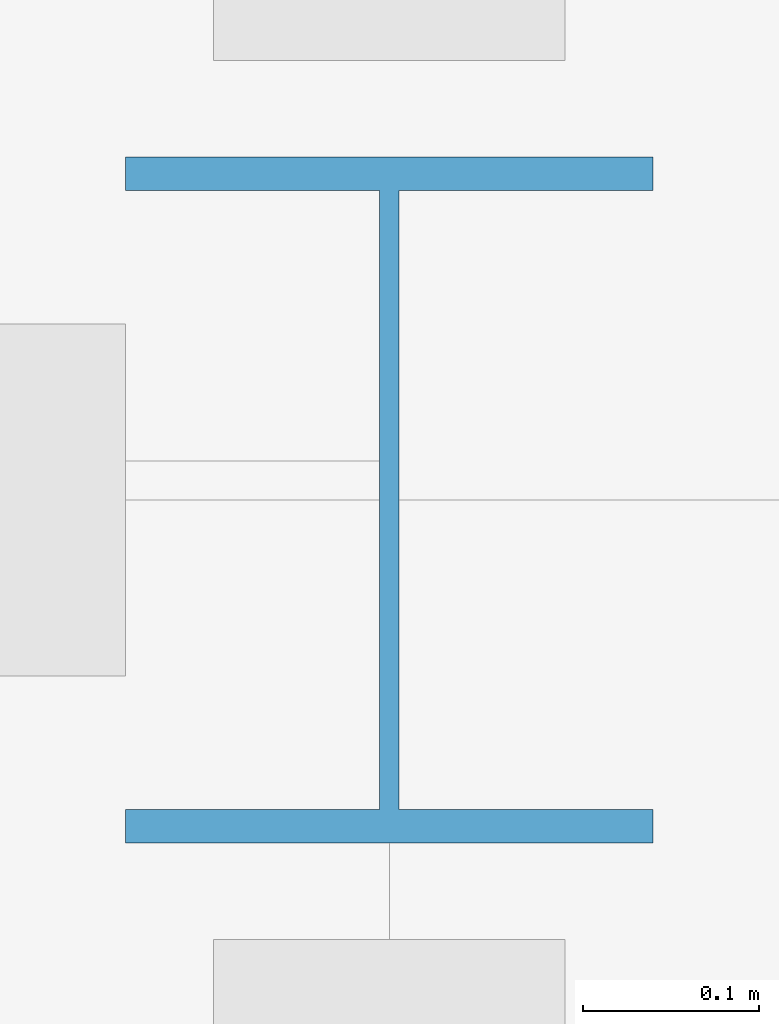
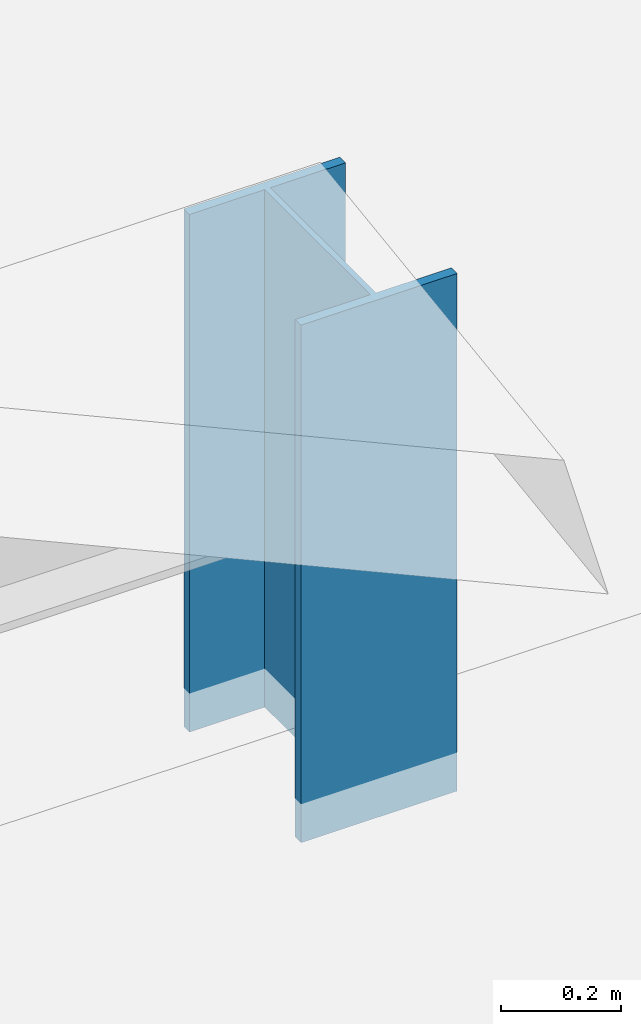
# One storey, part 2 of 16: 1 column.
"""IFC4 building model written with IfcOpenShell, lengths in metres."""

import ifcopenshell
import ifcopenshell.guid

model = None  # the IFC model being written
_history = None  # IfcOwnerHistory: only IFC2X3 demands one
_inside = {}  # id of a spatial element -> (the spatial element, [elements in it])
_under = {}  # id of a project, library or spatial element -> (it, [spatial elements below it])
_declared = {}  # id of a project -> (the project, [libraries it declares])
_typed = {}  # id of a type object -> (the type object, [elements of that type])
_made_of = {}  # id of a material, layer set ... -> (it, [elements and type objects made of it])


def new_model(schema):
    """Start an empty IFC model of exactly this schema.

    Asked for "IFC4X3", IfcOpenShell would pick the latest addendum, in which some entities
    have other attributes; the version numbers below select the first issue.
    IFC2X3 requires an IfcOwnerHistory on every rooted entity: one is made here for all.
    """
    global model, _history
    if schema == "IFC4X3":
        model = ifcopenshell.file(schema_version=(4, 3, 0, 0))
    else:
        model = ifcopenshell.file(schema=schema)
    _inside.clear()
    _under.clear()
    _declared.clear()
    _typed.clear()
    _made_of.clear()
    _history = None
    if model.schema == "IFC2X3":
        org = make("IfcOrganization", Name="unknown")
        user = make(
            "IfcPersonAndOrganization",
            ThePerson=make("IfcPerson", FamilyName="unknown"),
            TheOrganization=org,
        )
        app = make(
            "IfcApplication",
            ApplicationDeveloper=org,
            Version="unknown",
            ApplicationFullName="unknown",
            ApplicationIdentifier="unknown",
        )
        _history = make(
            "IfcOwnerHistory",
            OwningUser=user,
            OwningApplication=app,
            ChangeAction="ADDED",
            CreationDate=0,
        )
    return model


def make(cls, **values):
    """One entity of the class cls with the attributes given. An attribute that is None is left unset."""
    return model.create_entity(
        cls, **{name: value for name, value in values.items() if value is not None}
    )


def rooted(cls, **values):
    """An entity with a GlobalId (a new one), such as an element, a storey or a relation."""
    return make(cls, GlobalId=ifcopenshell.guid.new(), OwnerHistory=_history, **values)


def si_unit(unit_type, name, prefix=None):
    """IfcSIUnit, for example si_unit("LENGTHUNIT", "METRE", prefix="MILLI")."""
    return make("IfcSIUnit", UnitType=unit_type, Prefix=prefix, Name=name)


def assignment(units):
    """IfcUnitAssignment: the units of a project."""
    return None if units is None else make("IfcUnitAssignment", Units=units)


def point(xyz):
    """IfcCartesianPoint."""
    return None if xyz is None else make("IfcCartesianPoint", Coordinates=xyz)


def direction(xyz):
    """IfcDirection."""
    return None if xyz is None else make("IfcDirection", DirectionRatios=xyz)


def frame(location, z_axis=None, x_axis=None):
    """IfcAxis2Placement3D, a coordinate frame: its origin and axes. An axis left out is left unset."""
    return make(
        "IfcAxis2Placement3D",
        Location=point(location),
        Axis=direction(z_axis),
        RefDirection=direction(x_axis),
    )


def frame_2d(location, x_axis=None):
    """IfcAxis2Placement2D, a coordinate frame in the plane: its origin and x axis."""
    return make(
        "IfcAxis2Placement2D", Location=point(location), RefDirection=direction(x_axis)
    )


def origin():
    """The frame at (0, 0, 0) with its axes left unset."""
    return frame((0.0, 0.0, 0.0))


def origin_2d():
    """The frame at (0, 0) in the plane with its x axis left unset."""
    return frame_2d((0.0, 0.0))


def place(relative_to, where):
    """IfcLocalPlacement: puts the frame where relative to a parent placement (None: the world)."""
    return make(
        "IfcLocalPlacement", PlacementRelTo=relative_to, RelativePlacement=where
    )


def context(
    kind, dimensions, precision=None, world=None, true_north=None, identifier=None
):
    """IfcGeometricRepresentationContext, for example the 3D "Model" context."""
    return make(
        "IfcGeometricRepresentationContext",
        ContextIdentifier=identifier,
        ContextType=kind,
        CoordinateSpaceDimension=dimensions,
        Precision=precision,
        WorldCoordinateSystem=world,
        TrueNorth=true_north,
    )


def subcontext(parent, identifier, kind, view, scale=None):
    """IfcGeometricRepresentationSubContext, for example "Body" below "Model"."""
    return make(
        "IfcGeometricRepresentationSubContext",
        ContextIdentifier=identifier,
        ContextType=kind,
        ParentContext=parent,
        TargetScale=scale,
        TargetView=view,
    )


def project(units=None, contexts=None):
    """IfcProject with its units and contexts."""
    return rooted(
        "IfcProject",
        Name="project",
        RepresentationContexts=contexts,
        UnitsInContext=assignment(units),
    )


def spatial(cls, under=None, at=None, **own):
    """A site, building, storey or space (cls), placed at a placement, below another one or the project."""
    s = rooted(cls, ObjectPlacement=at, **own)
    if under is not None:
        _under.setdefault(under.id(), (under, []))[1].append(s)
    return s


def profile(cls, at=None, kind="AREA", **sizes):
    """A parametric profile (cls). Its sizes go by their IFC names, for example OverallWidth=200.0."""
    return make(cls, ProfileType=kind, Position=at, **sizes)


def i_section(**sizes):
    """IfcIShapeProfileDef."""
    return profile("IfcIShapeProfileDef", **sizes)


def extrude(swept, where, along, depth):
    """IfcExtrudedAreaSolid: the profile swept, set in the frame where, extruded along a direction by depth."""
    return make(
        "IfcExtrudedAreaSolid",
        SweptArea=swept,
        Position=where,
        ExtrudedDirection=direction(along),
        Depth=depth,
    )


def shape(context_of_items, identifier, shape_type, items):
    """IfcShapeRepresentation: the items that make up one representation, for example the "Body"."""
    return make(
        "IfcShapeRepresentation",
        ContextOfItems=context_of_items,
        RepresentationIdentifier=identifier,
        RepresentationType=shape_type,
        Items=items,
    )


def material(Name=None, Category=None):
    """IfcMaterial."""
    return make("IfcMaterial", Name=Name, Category=Category)


def material_profile(
    of_material, cross_section, Name=None, Category=None, Priority=None
):
    """IfcMaterialProfile: a cross section and its material."""
    return make(
        "IfcMaterialProfile",
        Name=Name,
        Material=of_material,
        Profile=cross_section,
        Priority=Priority,
        Category=Category,
    )


def profile_set(profiles, Name=None, composite=None):
    """IfcMaterialProfileSet."""
    return make(
        "IfcMaterialProfileSet",
        Name=Name,
        MaterialProfiles=profiles,
        CompositeProfile=composite,
    )


def made_of(thing, what):
    """Note that an element or type object is made of a material, layer set ...; save() writes the relation."""
    if what is not None:
        _made_of.setdefault(what.id(), (what, []))[1].append(thing)
    return thing


def type_object(cls, material=None, **own):
    """A type object (cls), such as IfcWallType, which elements share."""
    return made_of(rooted(cls, **own), material)


def element(
    cls,
    number,
    at=None,
    inside=None,
    cuts=None,
    type_object=None,
    material=None,
    context=None,
    identifier="Body",
    shape_type=None,
    held_by="IfcProductDefinitionShape",
    body=None,
    shapes=None,
    **own,
):
    """One element of the class cls, such as IfcWall. Its Tag is "e" and its number.

    at: its placement. inside: the storey or other place that contains it. cuts: it is an
    opening in that element (IfcRelVoidsElement). A single representation is given by context,
    identifier, shape_type and body (its items); several are given by shapes. held_by: the class
    of the entity that holds the representations. save() writes the other relations.
    """
    e = rooted(cls, Tag="e%d" % number, ObjectPlacement=at, **own)
    if body is not None:
        shapes = [shape(context, identifier, shape_type, body)]
    if shapes is not None:
        e.Representation = make(held_by, Representations=shapes)
    if inside is not None:
        _inside.setdefault(inside.id(), (inside, []))[1].append(e)
    if cuts is not None:
        rooted(
            "IfcRelVoidsElement", RelatingBuildingElement=cuts, RelatedOpeningElement=e
        )
    if type_object is not None:
        _typed.setdefault(type_object.id(), (type_object, []))[1].append(e)
    return made_of(e, material)


def aggregate(whole, parts):
    """IfcRelAggregates: a whole, such as a stair, and the parts it consists of."""
    return rooted("IfcRelAggregates", RelatingObject=whole, RelatedObjects=parts)


def save(model, path):
    """Write the relations noted so far, then the file.

    IfcRelAggregates (storeys below a building ...), IfcRelContainedInSpatialStructure (elements
    in a storey), IfcRelDefinesByType, IfcRelAssociatesMaterial and IfcRelDeclares: one each for
    every whole, place, type object, material and project.
    """
    for whole, parts in _under.values():
        aggregate(whole, parts)
    for where, things in _inside.values():
        rooted(
            "IfcRelContainedInSpatialStructure",
            RelatedElements=things,
            RelatingStructure=where,
        )
    for kind, things in _typed.values():
        rooted("IfcRelDefinesByType", RelatedObjects=things, RelatingType=kind)
    for what, things in _made_of.values():
        rooted("IfcRelAssociatesMaterial", RelatedObjects=things, RelatingMaterial=what)
    for by, libraries in _declared.values():
        rooted("IfcRelDeclares", RelatingContext=by, RelatedDefinitions=libraries)
    model.write(path)


model = new_model("IFC4")

# Units and contexts
model_context = context("Model", 3, precision=1e-05, world=origin(), true_north=direction((0.0, 1.0)))
body_context = subcontext(model_context, "Body", "Model", "MODEL_VIEW")
ifc_project = project(units=[si_unit("LENGTHUNIT", "METRE"), si_unit("AREAUNIT", "SQUARE_METRE"), si_unit("VOLUMEUNIT", "CUBIC_METRE"), si_unit("PLANEANGLEUNIT", "RADIAN"), si_unit("MASSUNIT", "GRAM", prefix="KILO")], contexts=[model_context])

# Site, building, storey
site_placement = place(None, origin())
site = spatial("IfcSite", under=ifc_project, at=site_placement, CompositionType="ELEMENT")
building_placement = place(site_placement, origin())
building = spatial("IfcBuilding", under=site, at=building_placement, Name="Sardonyx Promenade Sports Hall", CompositionType="ELEMENT")
storey_placement = place(building_placement, frame((0.0, 0.0, 24.800048828125)))
storey = spatial("IfcBuildingStorey", under=building, at=storey_placement, Name="RF", CompositionType="ELEMENT", Elevation=24.800048828125)

# Column
ifc_material = material(Name="Steel S355JR", Category="steel")
ifc_material_profile = material_profile(ifc_material, i_section(OverallWidth=0.300048828125, OverallDepth=0.389892578125, WebThickness=0.010986328125, FlangeThickness=0.01904296875, at=origin_2d()))
ifc_profile_set = profile_set([ifc_material_profile], Name="Steel S355JR")
column_type = type_object("IfcColumnType", Name="Col_Ext_HEA400", PredefinedType="COLUMN", material=ifc_profile_set)
column_placement = place(storey_placement, frame((57.60009765625, 14.39990234375, 0.0), z_axis=(0.0, 0.0, 1.0), x_axis=(1.0, 0.0, 0.0)))
element("IfcColumn", 1, at=column_placement, inside=storey, type_object=column_type, Name="Pavilion ridge post #7", PredefinedType="COLUMN", context=body_context, shape_type="SweptSolid", body=[
    extrude(i_section(OverallWidth=0.300048828125, OverallDepth=0.389892578125, WebThickness=0.010986328125, FlangeThickness=0.01904296875, at=origin_2d()), origin(), (0.0, 0.0, 1.0), 1.0517578125),
])

save(model, "model.ifc")
